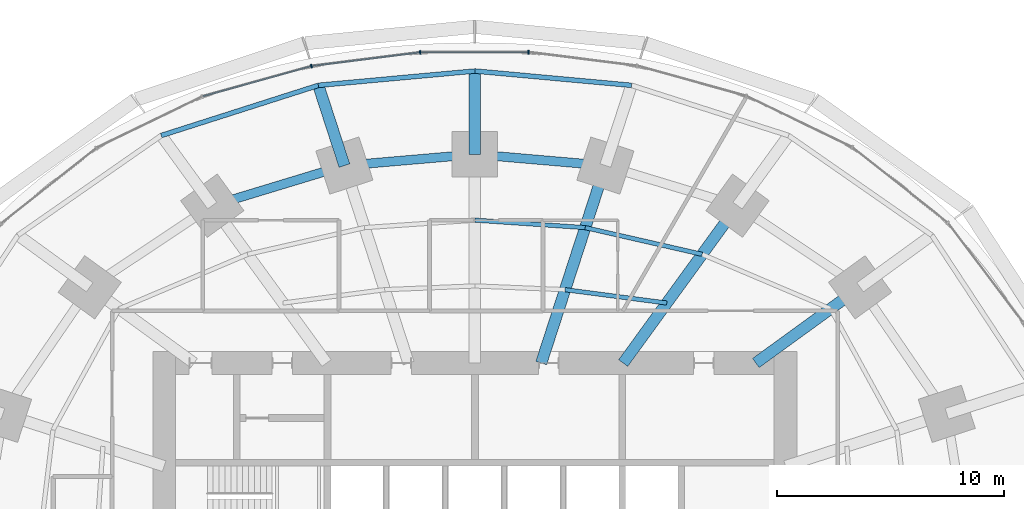
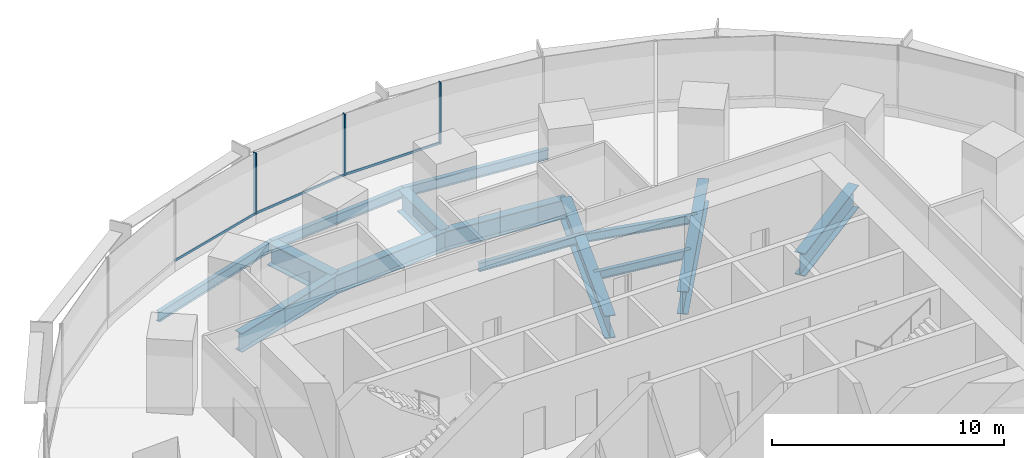
# One storey, part 8 of 15: 14 beams, 6 members, 1 element without a shape of its own.
"""IFC4 building model written with IfcOpenShell, lengths in metres."""

from ifc_helpers import new_model, si_unit, direction, frame, origin, origin_2d, place, context, subcontext, project, spatial, rectangle, i_section, extrude, material, material_profile, profile_set, type_object, element, aggregate, save


model = new_model("IFC4")

# Units and contexts
model_context = context("Model", 3, precision=1e-05, world=origin(), true_north=direction((0.0, 1.0)))
body_context = subcontext(model_context, "Body", "Model", "MODEL_VIEW")
ifc_project = project(units=[si_unit("LENGTHUNIT", "METRE"), si_unit("AREAUNIT", "SQUARE_METRE"), si_unit("VOLUMEUNIT", "CUBIC_METRE"), si_unit("PLANEANGLEUNIT", "RADIAN"), si_unit("MASSUNIT", "GRAM", prefix="KILO")], contexts=[model_context])

# Site, building, storey
site_placement = place(None, origin())
site = spatial("IfcSite", under=ifc_project, at=site_placement, CompositionType="ELEMENT")
building_placement = place(site_placement, origin())
building = spatial("IfcBuilding", under=site, at=building_placement, Name="Marramba Exchange Tower", CompositionType="ELEMENT")
storey_placement = place(building_placement, frame((0.0, 0.0, 44.800048828125)))
storey = spatial("IfcBuildingStorey", under=building, at=storey_placement, Name="L10", CompositionType="ELEMENT", Elevation=44.800048828125)

# Beams
ifc_material_1 = material(Name="Steel AS/NZS 3679.2 grade 300", Category="steel")
ifc_material_profile_1 = material_profile(ifc_material_1, i_section(OverallWidth=0.5, OverallDepth=1.199951171875, WebThickness=0.01611328125, FlangeThickness=0.0400390625, at=origin_2d()), Name="1200WB455")
ifc_profile_set_1 = profile_set([ifc_material_profile_1], Name="Steel AS/NZS 3679.2 grade 300")
beam_type_1 = type_object("IfcBeamType", Name="Cantilever girder 1200WB455", PredefinedType="BEAM", material=ifc_profile_set_1)
beam_1_placement = place(storey_placement, frame((0.0, 18.2041015625, -0.760009765625), z_axis=(0.0, 1.0, 0.0), x_axis=(-1.0, 0.0, 0.0)))
element("IfcBeam", 1, at=beam_1_placement, inside=storey, type_object=beam_type_1, Name="Cantilever girder L10 TC06", PredefinedType="BEAM", context=body_context, shape_type="SweptSolid", body=[
    extrude(i_section(OverallWidth=0.5, OverallDepth=1.199951171875, WebThickness=0.01611328125, FlangeThickness=0.0400390625, at=origin_2d()), origin(), (0.0, 0.0, 1.0), 3.673828125),
])
beam_2_placement = place(storey_placement, frame((-5.75390625, 17.70849609375, -0.760009765625), z_axis=(-0.308973290646, 0.951070715387, 0.0), x_axis=(-0.951070715387, -0.308973290646, 0.0)))
element("IfcBeam", 2, at=beam_2_placement, inside=storey, type_object=beam_type_1, Name="Cantilever girder L10 TC07", PredefinedType="BEAM", context=body_context, shape_type="SweptSolid", body=[
    extrude(i_section(OverallWidth=0.5, OverallDepth=1.199951171875, WebThickness=0.01611328125, FlangeThickness=0.0400390625, at=origin_2d()), origin(), (0.0, 0.0, 1.0), 3.72021484375),
])
ifc_material_2 = material(Name="Steel AS/NZS 3679.1 grade 300", Category="steel")
ifc_material_profile_2 = material_profile(ifc_material_2, i_section(OverallWidth=0.18994140625, OverallDepth=0.4541015625, WebThickness=0.008544921875, FlangeThickness=0.0126953125, FilletRadius=0.011474609375, at=origin_2d()), Name="460UB67.1")
ifc_profile_set_2 = profile_set([ifc_material_profile_2], Name="Steel AS/NZS 3679.1 grade 300")
beam_type_2 = type_object("IfcBeamType", Name="Floor joist 460UB67.1", PredefinedType="JOIST", material=ifc_profile_set_2)
beam_3_placement = place(storey_placement, frame((8.4619140625, 11.646728515625, -0.386962890625), z_axis=(-0.991480538255, 0.130254912618, 0.0), x_axis=(-0.130254912618, -0.991480538255, 0.0)))
element("IfcBeam", 3, at=beam_3_placement, inside=storey, type_object=beam_type_2, Name="Joist L10 bay 04 row 1", PredefinedType="JOIST", context=body_context, shape_type="SweptSolid", body=[
    extrude(i_section(OverallWidth=0.18994140625, OverallDepth=0.4541015625, WebThickness=0.008544921875, FlangeThickness=0.0126953125, FilletRadius=0.011474609375, at=origin_2d()), origin(), (0.0, 0.0, 1.0), 4.524658203125),
])
beam_4_placement = place(storey_placement, frame((10.021728515625, 13.793701171875, -0.386962890625), z_axis=(-0.974859652292, 0.222819788916, 0.0), x_axis=(-0.222819788916, -0.974859652292, 0.0)))
element("IfcBeam", 4, at=beam_4_placement, inside=storey, type_object=beam_type_2, Name="Joist L10 bay 04 row 2", PredefinedType="JOIST", context=body_context, shape_type="SweptSolid", body=[
    extrude(i_section(OverallWidth=0.18994140625, OverallDepth=0.4541015625, WebThickness=0.008544921875, FlangeThickness=0.0126953125, FilletRadius=0.011474609375, at=origin_2d()), origin(), (0.0, 0.0, 1.0), 5.2900390625),
])
beam_5_placement = place(storey_placement, frame((4.86474609375, 14.972412109375, -0.386962890625), z_axis=(-0.997702652202, 0.067745241816, 0.0), x_axis=(-0.067745241816, -0.997702652202, 0.0)))
element("IfcBeam", 5, at=beam_5_placement, inside=storey, type_object=beam_type_2, Name="Joist L10 bay 05 row 2", PredefinedType="JOIST", context=body_context, shape_type="SweptSolid", body=[
    extrude(i_section(OverallWidth=0.18994140625, OverallDepth=0.4541015625, WebThickness=0.008544921875, FlangeThickness=0.0126953125, FilletRadius=0.011474609375, at=origin_2d()), origin(), (0.0, 0.0, 1.0), 4.8759765625),
])
ifc_material_profile_3 = material_profile(ifc_material_1, i_section(OverallWidth=0.5, OverallDepth=1.199951171875, WebThickness=0.01611328125, FlangeThickness=0.0400390625, at=origin_2d()), Name="1200WB455")
ifc_profile_set_3 = profile_set([ifc_material_profile_3], Name="Steel AS/NZS 3679.2 grade 300")
beam_type_3 = type_object("IfcBeamType", Name="Radial girder 1200WB455", PredefinedType="BEAM", material=ifc_profile_set_3)
beam_6_placement = place(storey_placement, frame((12.387451171875, 9.0, -0.760009765625), z_axis=(0.809025746925, 0.587773205252, 0.0), x_axis=(-0.587773205252, 0.809025746925, 0.0)))
element("IfcBeam", 6, at=beam_6_placement, inside=storey, type_object=beam_type_3, Name="Radial girder L10 TC03", PredefinedType="BEAM", context=body_context, shape_type="SweptSolid", body=[
    extrude(i_section(OverallWidth=0.5, OverallDepth=1.199951171875, WebThickness=0.01611328125, FlangeThickness=0.0400390625, at=origin_2d()), origin(), (0.0, 0.0, 1.0), 5.683837890625),
])
beam_7_placement = place(storey_placement, frame((6.538818359375, 9.0, -0.760009765625), z_axis=(0.587782439969, 0.80901903764, 0.0), x_axis=(-0.80901903764, 0.587782439969, 0.0)))
element("IfcBeam", 7, at=beam_7_placement, inside=storey, type_object=beam_type_3, Name="Radial girder L10 TC04", PredefinedType="BEAM", context=body_context, shape_type="SweptSolid", body=[
    extrude(i_section(OverallWidth=0.5, OverallDepth=1.199951171875, WebThickness=0.01611328125, FlangeThickness=0.0400390625, at=origin_2d()), origin(), (0.0, 0.0, 1.0), 8.578857421875),
])
beam_8_placement = place(storey_placement, frame((2.92431640625, 9.0, -0.760009765625), z_axis=(0.309019754162, 0.951055619582, 0.0), x_axis=(-0.951055619582, 0.309019754162, 0.0)))
element("IfcBeam", 8, at=beam_8_placement, inside=storey, type_object=beam_type_3, Name="Radial girder L10 TC05", PredefinedType="BEAM", context=body_context, shape_type="SweptSolid", body=[
    extrude(i_section(OverallWidth=0.5, OverallDepth=1.199951171875, WebThickness=0.01611328125, FlangeThickness=0.0400390625, at=origin_2d()), origin(), (0.0, 0.0, 1.0), 9.15673828125),
])
ifc_material_profile_4 = material_profile(ifc_material_1, i_section(OverallWidth=0.39990234375, OverallDepth=1.0, WebThickness=0.01611328125, FlangeThickness=0.031982421875, at=origin_2d()), Name="1000WB322")
ifc_profile_set_4 = profile_set([ifc_material_profile_4], Name="Steel AS/NZS 3679.2 grade 300")
beam_type_4 = type_object("IfcBeamType", Name="Ring beam 1000WB322", PredefinedType="SPANDREL", material=ifc_profile_set_4)
for number, where, z_axis, x_axis, name in (
    (9, (5.75390625, 17.70849609375, -0.66015625), (-0.996311003275, 0.085815993578, 0.0), (-0.085815993578, -0.996311003275, 0.0), "Ring beam L10 TC05-TC06"),
    (10, (0.0, 18.2041015625, -0.66015625), (-0.996311003275, -0.085815993578, 0.0), (0.085815993578, -0.996311003275, 0.0), "Ring beam L10 TC06-TC07"),
):
    element("IfcBeam", number, at=place(storey_placement, frame(where, z_axis=z_axis, x_axis=x_axis)), inside=storey, type_object=beam_type_4, Name=name, PredefinedType="SPANDREL", context=body_context, shape_type="SweptSolid", body=[
        extrude(i_section(OverallWidth=0.39990234375, OverallDepth=1.0, WebThickness=0.01611328125, FlangeThickness=0.031982421875, at=origin_2d()), origin(), (0.0, 0.0, 1.0), 5.775146484375),
    ])
beam_9_placement = place(storey_placement, frame((-5.75390625, 17.70849609375, -0.66015625), z_axis=(-0.956924542524, -0.290336735387, 0.0), x_axis=(0.290336735387, -0.956924542524, 0.0)))
element("IfcBeam", 11, at=beam_9_placement, inside=storey, type_object=beam_type_4, Name="Ring beam L10 TC07-TC08", PredefinedType="SPANDREL", context=body_context, shape_type="SweptSolid", body=[
    extrude(i_section(OverallWidth=0.39990234375, OverallDepth=1.0, WebThickness=0.01611328125, FlangeThickness=0.031982421875, at=origin_2d()), origin(), (0.0, 0.0, 1.0), 6.089599609375),
])
ifc_material_profile_5 = material_profile(ifc_material_2, i_section(OverallWidth=0.208984375, OverallDepth=0.528076171875, WebThickness=0.009521484375, FlangeThickness=0.01318359375, FilletRadius=0.013916015625, at=origin_2d()), Name="530UB82.0")
ifc_profile_set_5 = profile_set([ifc_material_profile_5], Name="Steel AS/NZS 3679.1 grade 300")
beam_type_5 = type_object("IfcBeamType", Name="Slab edge beam 530UB82.0", PredefinedType="SPANDREL", material=ifc_profile_set_5)
for number, where, z_axis, x_axis, name in (
    (12, (6.9033203125, 21.24658203125, -0.424072265625), (-0.995843984921, 0.091075560369, 0.0), (-0.091075560369, -0.995843984921, 0.0), "Slab edge beam L10 TC05-TC06"),
    (13, (0.0, 21.8779296875, -0.424072265625), (-0.995843984921, -0.091075560369, 0.0), (0.091075560369, -0.995843984921, 0.0), "Slab edge beam L10 TC06-TC07"),
):
    element("IfcBeam", number, at=place(storey_placement, frame(where, z_axis=z_axis, x_axis=x_axis)), inside=storey, type_object=beam_type_5, Name=name, PredefinedType="SPANDREL", context=body_context, shape_type="SweptSolid", body=[
        extrude(i_section(OverallWidth=0.208984375, OverallDepth=0.528076171875, WebThickness=0.009521484375, FlangeThickness=0.01318359375, FilletRadius=0.013916015625, at=origin_2d()), origin(), (0.0, 0.0, 1.0), 6.93212890625),
    ])
beam_10_placement = place(storey_placement, frame((-6.9033203125, 21.24658203125, -0.424072265625), z_axis=(-0.952577642997, -0.304295635957, 0.0), x_axis=(0.304295635957, -0.952577642997, 0.0)))
element("IfcBeam", 14, at=beam_10_placement, inside=storey, type_object=beam_type_5, Name="Slab edge beam L10 TC07-TC08", PredefinedType="SPANDREL", context=body_context, shape_type="SweptSolid", body=[
    extrude(i_section(OverallWidth=0.208984375, OverallDepth=0.528076171875, WebThickness=0.009521484375, FlangeThickness=0.01318359375, FilletRadius=0.013916015625, at=origin_2d()), origin(), (0.0, 0.0, 1.0), 7.2705078125),
])

# Curtain wall, members
ifc_material_3 = material(Name="Aluminium framing, bronze anodised", Category="aluminium")
curtain_wall_type = type_object("IfcCurtainWallType", Name="Trading floor ribbon curtain wall", PredefinedType="USERDEFINED", material=ifc_material_3)
curtain_wall_placement = place(storey_placement, origin())
curtain_wall = element("IfcCurtainWall", 15, at=curtain_wall_placement, inside=storey, type_object=curtain_wall_type, Name="Curtain wall CW3 L10 F06-F10", ObjectType="RIBBON CURTAIN WALL", PredefinedType="USERDEFINED")
ifc_material_4 = material(Name="Aluminium mullion, bronze anodised", Category="aluminium")
ifc_material_profile_6 = material_profile(ifc_material_4, rectangle(XDim=0.159912109375, YDim=0.06005859375, at=origin_2d()), Name="CW3 mullion 60x160")
ifc_profile_set_6 = profile_set([ifc_material_profile_6], Name="Aluminium mullion, bronze anodised")
member_type_1 = type_object("IfcMemberType", Name="Trading floor ribbon curtain wall mullion", PredefinedType="MULLION", material=ifc_profile_set_6)
member_1_placement = place(storey_placement, frame((2.3564453125, 22.7060546875, 0.800048828125), z_axis=(0.0, 0.0, 1.0), x_axis=(0.0, -1.0, 0.0)))
member_1 = element("IfcMember", 16, at=member_1_placement, type_object=member_type_1, Name="CW3 mullion 1", PredefinedType="MULLION", context=body_context, shape_type="SweptSolid", body=[
    extrude(rectangle(XDim=0.159912109375, YDim=0.06005859375, at=origin_2d()), origin(), (0.0, 0.0, 1.0), 3.239990234375),
])
member_2_placement = place(storey_placement, frame((-2.416259765625, 22.7021484375, 0.800048828125), z_axis=(0.0, 0.0, 1.0), x_axis=(0.124872723099, -0.992172768738, 0.0)))
member_2 = element("IfcMember", 17, at=member_2_placement, type_object=member_type_1, Name="CW3 mullion 1", PredefinedType="MULLION", context=body_context, shape_type="SweptSolid", body=[
    extrude(rectangle(XDim=0.159912109375, YDim=0.06005859375, at=origin_2d()), origin(), (0.0, 0.0, 1.0), 3.239990234375),
])
member_3_placement = place(storey_placement, frame((-7.21044921875, 22.094482421875, 0.800048828125), z_axis=(0.0, 0.0, 1.0), x_axis=(0.267808735815, -0.963472096649, 0.0)))
member_3 = element("IfcMember", 18, at=member_3_placement, type_object=member_type_1, Name="CW3 mullion 1", PredefinedType="MULLION", context=body_context, shape_type="SweptSolid", body=[
    extrude(rectangle(XDim=0.159912109375, YDim=0.06005859375, at=origin_2d()), origin(), (0.0, 0.0, 1.0), 3.239990234375),
])
ifc_material_5 = material(Name="Aluminium transom, bronze anodised", Category="aluminium")
ifc_material_profile_7 = material_profile(ifc_material_5, rectangle(XDim=0.06005859375, YDim=0.1201171875, at=origin_2d()), Name="CW3 transom 60x120")
ifc_profile_set_7 = profile_set([ifc_material_profile_7], Name="Aluminium transom, bronze anodised")
member_type_2 = type_object("IfcMemberType", Name="Trading floor ribbon curtain wall transom", PredefinedType="USERDEFINED", material=ifc_profile_set_7)
member_4_placement = place(storey_placement, frame((2.326416015625, 22.7060546875, 0.829833984375), z_axis=(-1.0, 0.0, 0.0), x_axis=(0.0, -1.0, 0.0)))
member_4 = element("IfcMember", 19, at=member_4_placement, type_object=member_type_2, Name="CW3 sill transom", ObjectType="TRANSOM", PredefinedType="USERDEFINED", context=body_context, shape_type="SweptSolid", body=[
    extrude(rectangle(XDim=0.06005859375, YDim=0.1201171875, at=origin_2d()), origin(), (0.0, 0.0, 1.0), 4.712890625),
])
member_5_placement = place(storey_placement, frame((-2.446044921875, 22.698486328125, 0.829833984375), z_axis=(-0.992174445211, -0.124859402009, 0.0), x_axis=(0.124859402009, -0.992174445211, 0.0)))
member_5 = element("IfcMember", 20, at=member_5_placement, type_object=member_type_2, Name="CW3 sill transom", ObjectType="TRANSOM", PredefinedType="USERDEFINED", context=body_context, shape_type="SweptSolid", body=[
    extrude(rectangle(XDim=0.06005859375, YDim=0.1201171875, at=origin_2d()), origin(), (0.0, 0.0, 1.0), 4.77294921875),
])
member_6_placement = place(storey_placement, frame((-7.2392578125, 22.08642578125, 0.829833984375), z_axis=(-0.963472490071, -0.267807320431, 0.0), x_axis=(0.267807320431, -0.963472490071, 0.0)))
member_6 = element("IfcMember", 21, at=member_6_placement, type_object=member_type_2, Name="CW3 sill transom", ObjectType="TRANSOM", PredefinedType="USERDEFINED", context=body_context, shape_type="SweptSolid", body=[
    extrude(rectangle(XDim=0.06005859375, YDim=0.1201171875, at=origin_2d()), origin(), (0.0, 0.0, 1.0), 4.93017578125),
])
aggregate(curtain_wall, [member_1, member_4, member_2, member_5, member_3, member_6])

save(model, "model.ifc")
